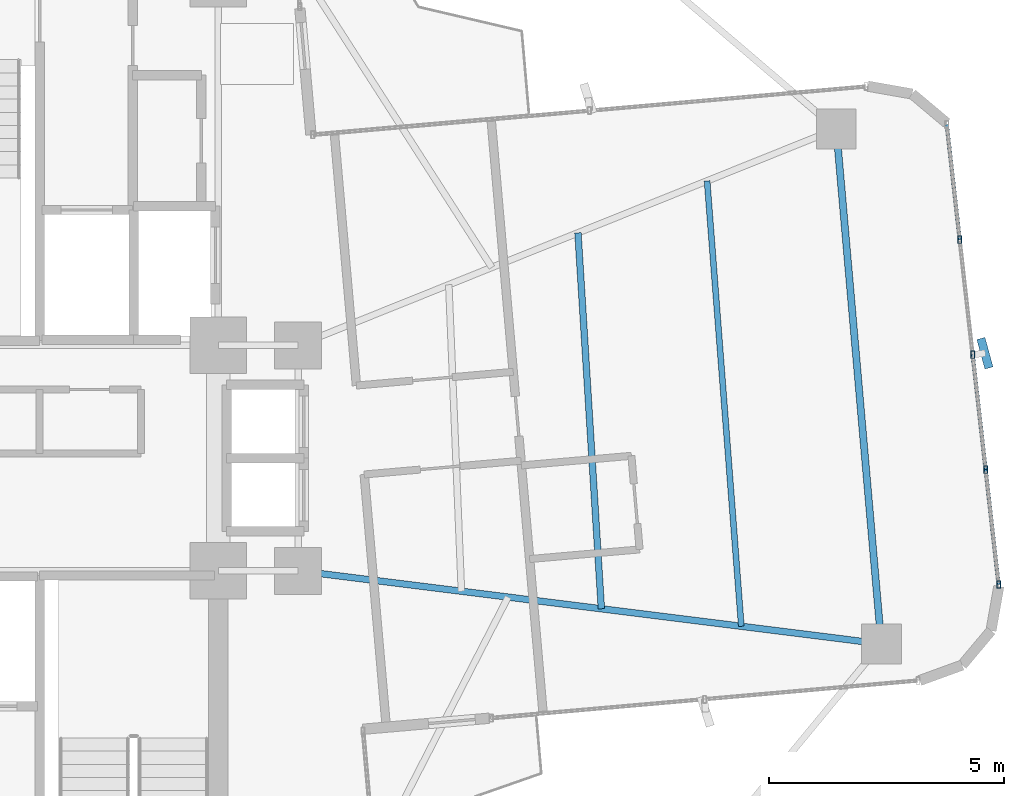
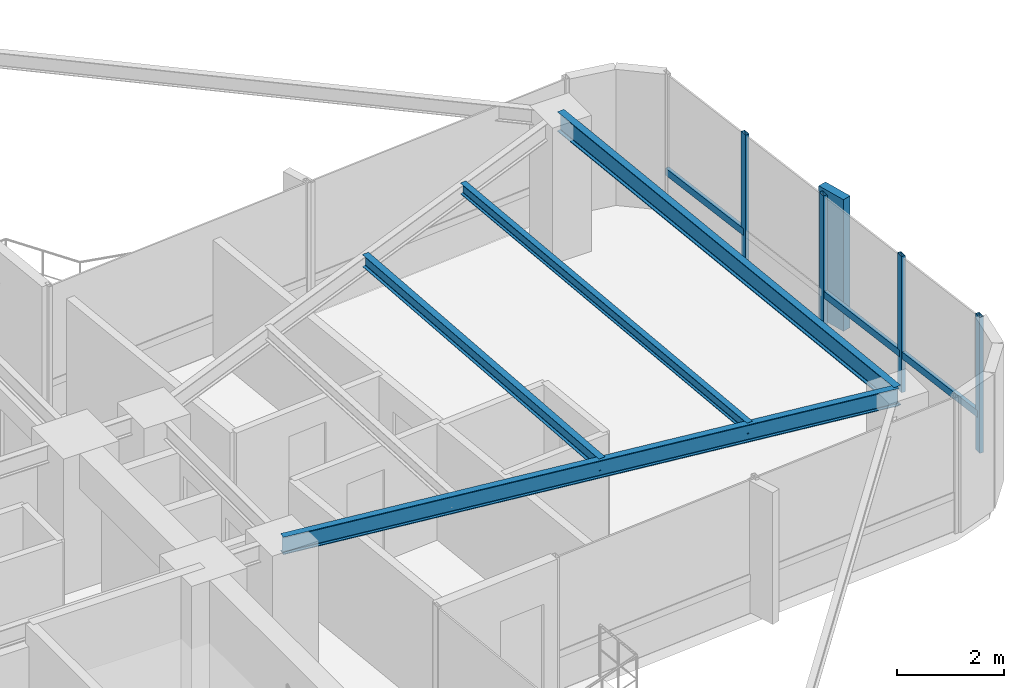
# One storey, part 14 of 24: 8 members, 4 beams, 1 element without a shape of its own.
"""IFC4 building model written with IfcOpenShell, lengths in metres."""

from ifc_helpers import new_model, si_unit, direction, frame, origin, origin_2d, place, context, subcontext, project, spatial, rectangle, hollow_rectangle, i_section, extrude, source, transform, mapped, material, material_profile, profile_set, type_object, element, aggregate, save


model = new_model("IFC4")

# Units and contexts
model_context = context("Model", 3, precision=1e-05, world=origin(), true_north=direction((0.0, 1.0)))
body_context = subcontext(model_context, "Body", "Model", "MODEL_VIEW")
ifc_project = project(units=[si_unit("LENGTHUNIT", "METRE"), si_unit("AREAUNIT", "SQUARE_METRE"), si_unit("VOLUMEUNIT", "CUBIC_METRE"), si_unit("PLANEANGLEUNIT", "RADIAN"), si_unit("MASSUNIT", "GRAM", prefix="KILO")], contexts=[model_context])

# Site, building, storey
site_placement = place(None, origin())
site = spatial("IfcSite", under=ifc_project, at=site_placement, CompositionType="ELEMENT")
building_placement = place(site_placement, origin())
building = spatial("IfcBuilding", under=site, at=building_placement, Name="Sahyath Konkavel Grand Hotel", CompositionType="ELEMENT")
storey_placement = place(building_placement, frame((0.0, 0.0, 147.25)))
storey = spatial("IfcBuildingStorey", under=building, at=storey_placement, Name="L40", CompositionType="ELEMENT", Elevation=147.25)

# Beams
ifc_material_1 = material(Name="Steel E350", Category="steel")
ifc_material_profile_1 = material_profile(ifc_material_1, i_section(OverallWidth=0.139892578125, OverallDepth=0.39990234375, WebThickness=0.0087890625, FlangeThickness=0.01611328125, FilletRadius=0.013916015625, at=origin_2d()), Name="ISMB 400")
ifc_profile_set_1 = profile_set([ifc_material_profile_1], Name="Steel E350")
beam_type_1 = type_object("IfcBeamType", Name="BM-ISMB400", PredefinedType="BEAM", material=ifc_profile_set_1)
shared_shape_1 = source(origin(), body_context, "Body", "SweptSolid", [
    extrude(i_section(OverallWidth=0.139892578125, OverallDepth=0.39990234375, WebThickness=0.0087890625, FlangeThickness=0.01611328125, FilletRadius=0.013916015625, at=origin_2d()), origin(), (0.0, 0.0, 1.0), 12.509765625),
])
beam_1_placement = place(storey_placement, frame((5.5, -2.39990234375, 2.909912109375), z_axis=(0.992254740459, -0.124219684578, 0.0), x_axis=(0.124219684578, 0.992254740459, 0.0)))
element("IfcBeam", 1, at=beam_1_placement, inside=storey, type_object=beam_type_1, Name="L40 Cruciform Radial Girder EA", PredefinedType="BEAM", context=body_context, shape_type="MappedRepresentation", body=[
    mapped(shared_shape_1, transform((0.0, 0.0, 0.0), scale=1.0)),
])
ifc_material_profile_2 = material_profile(ifc_material_1, i_section(OverallWidth=0.14990234375, OverallDepth=0.449951171875, WebThickness=0.009521484375, FlangeThickness=0.017333984375, FilletRadius=0.014892578125, at=origin_2d()), Name="ISMB 450")
ifc_profile_set_2 = profile_set([ifc_material_profile_2], Name="Steel E350")
beam_type_2 = type_object("IfcBeamType", Name="BM-ISMB450", PredefinedType="BEAM", material=ifc_profile_set_2)
shared_shape_2 = source(origin(), body_context, "Body", "SweptSolid", [
    extrude(i_section(OverallWidth=0.14990234375, OverallDepth=0.449951171875, WebThickness=0.009521484375, FlangeThickness=0.017333984375, FilletRadius=0.014892578125, at=origin_2d()), origin(), (0.0, 0.0, 1.0), 11.0),
])
beam_2_placement = place(storey_placement, frame((17.912841796875, -3.953857421875, 2.885009765625), z_axis=(-0.087157314015, 0.996194560622, 0.0), x_axis=(-0.996194560622, -0.087157314015, 0.0)))
element("IfcBeam", 2, at=beam_2_placement, inside=storey, type_object=beam_type_2, Name="L40 Wing Tip Edge Beam E", PredefinedType="BEAM", context=body_context, shape_type="MappedRepresentation", body=[
    mapped(shared_shape_2, transform((0.0, 0.0, 0.0), scale=1.0)),
])
ifc_material_profile_3 = material_profile(ifc_material_1, i_section(OverallWidth=0.139892578125, OverallDepth=0.27490234375, WebThickness=0.00634765625, FlangeThickness=0.0087890625, FilletRadius=0.012939453125, at=origin_2d()), Name="ISLB 275")
ifc_profile_set_3 = profile_set([ifc_material_profile_3], Name="Steel E350")
beam_type_3 = type_object("IfcBeamType", Name="BM-ISLB275", PredefinedType="BEAM", material=ifc_profile_set_3)
shared_shape_3 = source(origin(), body_context, "Body", "SweptSolid", [
    extrude(i_section(OverallWidth=0.139892578125, OverallDepth=0.27490234375, WebThickness=0.00634765625, FlangeThickness=0.0087890625, FilletRadius=0.012939453125, at=origin_2d()), origin(), (0.0, 0.0, 1.0), 8.017822265625),
])
beam_3_placement = place(storey_placement, frame((11.95458984375, -3.2080078125, 2.972412109375), z_axis=(-0.062179233264, 0.998064999362, 0.0), x_axis=(-0.998064999362, -0.062179233264, 0.0)))
element("IfcBeam", 3, at=beam_3_placement, inside=storey, type_object=beam_type_3, Name="L40 Secondary Floor Beam E-2", PredefinedType="BEAM", context=body_context, shape_type="MappedRepresentation", body=[
    mapped(shared_shape_3, transform((0.0, 0.0, 0.0), scale=1.0)),
])
ifc_material_profile_4 = material_profile(ifc_material_1, i_section(OverallWidth=0.125, OverallDepth=0.25, WebThickness=0.0068359375, FlangeThickness=0.012451171875, FilletRadius=0.012939453125, at=origin_2d()), Name="ISMB 250")
ifc_profile_set_4 = profile_set([ifc_material_profile_4], Name="Steel E350")
beam_type_4 = type_object("IfcBeamType", Name="BM-ISMB250", PredefinedType="BEAM", material=ifc_profile_set_4)
shared_shape_4 = source(origin(), body_context, "Body", "SweptSolid", [
    extrude(i_section(OverallWidth=0.125, OverallDepth=0.25, WebThickness=0.0068359375, FlangeThickness=0.012451171875, FilletRadius=0.012939453125, at=origin_2d()), origin(), (0.0, 0.0, 1.0), 9.508056640625),
])
beam_4_placement = place(storey_placement, frame((14.93359375, -3.580810546875, 2.985107421875), z_axis=(-0.076619921029, 0.997060373148, 0.0), x_axis=(-0.997060373148, -0.076619921029, 0.0)))
element("IfcBeam", 4, at=beam_4_placement, inside=storey, type_object=beam_type_4, Name="L40 Secondary Floor Beam E-3", PredefinedType="BEAM", context=body_context, shape_type="MappedRepresentation", body=[
    mapped(shared_shape_4, transform((0.0, 0.0, 0.0), scale=1.0)),
])

# Curtain wall, members
ifc_material_2 = material(Name="Anodised Bronze Aluminium & Low-E Glazing", Category="aluminium")
curtain_wall_type = type_object("IfcCurtainWallType", Name="CW-ZONE3", PredefinedType="NOTDEFINED", material=ifc_material_2)
curtain_wall_placement = place(storey_placement, origin())
curtain_wall = element("IfcCurtainWall", 5, at=curtain_wall_placement, inside=storey, type_object=curtain_wall_type, Name="L40 Unitised Curtain Wall F4", PredefinedType="NOTDEFINED")
ifc_material_3 = material(Name="Warm Buff Sandstone Cladding on Concrete C50/60", Category="masonry")
ifc_material_profile_5 = material_profile(ifc_material_3, rectangle(XDim=0.179931640625, YDim=0.64990234375, at=origin_2d()), Name="FIN 180x650")
ifc_profile_set_5 = profile_set([ifc_material_profile_5], Name="Warm Buff Sandstone Cladding on Concrete C50/60")
member_type_1 = type_object("IfcMemberType", Name="FIN-SANDSTONE-650", PredefinedType="MULLION", material=ifc_profile_set_5)
shared_shape_5 = source(origin(), body_context, "Body", "SweptSolid", [
    extrude(rectangle(XDim=0.179931640625, YDim=0.64990234375, at=origin_2d()), origin(), (0.0, 0.0, 1.0), 3.010009765625),
])
member_1_placement = place(storey_placement, frame((20.1181640625, 2.23095703125, 0.050048828125), z_axis=(0.0, 0.0, 1.0), x_axis=(0.964326778534, 0.264714684522, 0.0)))
member_1 = element("IfcMember", 6, at=member_1_placement, type_object=member_type_1, Name="L40 Sandstone Vertical Solar Fin FIN F4-2", PredefinedType="MULLION", context=body_context, shape_type="MappedRepresentation", body=[
    mapped(shared_shape_5, transform((0.0, 0.0, 0.0), scale=1.0)),
])
ifc_material_4 = material(Name="Anodised Bronze Aluminium", Category="aluminium")
ifc_material_profile_6 = material_profile(ifc_material_4, hollow_rectangle(XDim=0.080078125, YDim=0.159912109375, WallThickness=0.006103515625, at=origin_2d()), Name="RHS 160x80x6")
ifc_profile_set_6 = profile_set([ifc_material_profile_6], Name="Anodised Bronze Aluminium")
member_type_2 = type_object("IfcMemberType", Name="CW-MUL-160", PredefinedType="MULLION", material=ifc_profile_set_6)
shared_shape_6 = source(origin(), body_context, "Body", "SweptSolid", [
    extrude(hollow_rectangle(XDim=0.080078125, YDim=0.159912109375, WallThickness=0.006103515625, at=origin_2d()), origin(), (0.0, 0.0, 1.0), 3.110107421875),
])
member_2_placement = place(storey_placement, frame((20.4111328125, -2.69140625, 0.0), z_axis=(0.0, 0.0, 1.0), x_axis=(1.0, 0.0, 0.0)))
member_2 = element("IfcMember", 7, at=member_2_placement, type_object=member_type_2, Name="L40 Curtain Wall Mullion F4-0", PredefinedType="MULLION", context=body_context, shape_type="MappedRepresentation", body=[
    mapped(shared_shape_6, transform((0.0, 0.0, 0.0), scale=1.0)),
])
member_3_placement = place(storey_placement, frame((20.135498046875, -0.24462890625, 0.0), z_axis=(0.0, 0.0, 1.0), x_axis=(1.0, 0.0, 0.0)))
member_3 = element("IfcMember", 8, at=member_3_placement, type_object=member_type_2, Name="L40 Curtain Wall Mullion F4-1", PredefinedType="MULLION", context=body_context, shape_type="MappedRepresentation", body=[
    mapped(shared_shape_6, transform((0.0, 0.0, 0.0), scale=1.0)),
])
member_4_placement = place(storey_placement, frame((19.859619140625, 2.201904296875, 0.0), z_axis=(0.0, 0.0, 1.0), x_axis=(1.0, 0.0, 0.0)))
member_4 = element("IfcMember", 9, at=member_4_placement, type_object=member_type_2, Name="L40 Curtain Wall Mullion F4-2", PredefinedType="MULLION", context=body_context, shape_type="MappedRepresentation", body=[
    mapped(shared_shape_6, transform((0.0, 0.0, 0.0), scale=1.0)),
])
member_5_placement = place(storey_placement, frame((19.583984375, 4.648193359375, 0.0), z_axis=(0.0, 0.0, 1.0), x_axis=(1.0, 0.0, 0.0)))
member_5 = element("IfcMember", 10, at=member_5_placement, type_object=member_type_2, Name="L40 Curtain Wall Mullion F4-3", PredefinedType="MULLION", context=body_context, shape_type="MappedRepresentation", body=[
    mapped(shared_shape_6, transform((0.0, 0.0, 0.0), scale=1.0)),
])
ifc_material_profile_7 = material_profile(ifc_material_4, hollow_rectangle(XDim=0.080078125, YDim=0.159912109375, WallThickness=0.006103515625, at=origin_2d()), Name="RHS 160x80x6")
ifc_profile_set_7 = profile_set([ifc_material_profile_7], Name="Anodised Bronze Aluminium")
member_type_3 = type_object("IfcMemberType", Name="CW-TRN-160", PredefinedType="USERDEFINED", material=ifc_profile_set_7)
shared_shape_7 = source(origin(), body_context, "Body", "SweptSolid", [
    extrude(hollow_rectangle(XDim=0.080078125, YDim=0.159912109375, WallThickness=0.006103515625, at=origin_2d()), origin(), (0.0, 0.0, 1.0), 2.462158203125),
])
member_6_placement = place(storey_placement, frame((20.4111328125, -2.69140625, 0.85009765625), z_axis=(-0.11194409079, 0.993714506555, 0.0), x_axis=(-0.993714506555, -0.11194409079, 0.0)))
member_6 = element("IfcMember", 11, at=member_6_placement, type_object=member_type_3, Name="L40 Curtain Wall Transom F4-0-spandrel", ObjectType="TRANSOM", PredefinedType="USERDEFINED", context=body_context, shape_type="MappedRepresentation", body=[
    mapped(shared_shape_7, transform((0.0, 0.0, 0.0), scale=1.0)),
])
member_7_placement = place(storey_placement, frame((20.135498046875, -0.24462890625, 0.85009765625), z_axis=(-0.112053040279, 0.99370222711, 0.0), x_axis=(-0.99370222711, -0.112053040279, 0.0)))
member_7 = element("IfcMember", 12, at=member_7_placement, type_object=member_type_3, Name="L40 Curtain Wall Transom F4-1-spandrel", ObjectType="TRANSOM", PredefinedType="USERDEFINED", context=body_context, shape_type="MappedRepresentation", body=[
    mapped(shared_shape_7, transform((0.0, 0.0, 0.0), scale=1.0)),
])
member_8_placement = place(storey_placement, frame((19.583984375, 4.648193359375, 0.85009765625), z_axis=(-0.11194409079, 0.993714506555, 0.0), x_axis=(-0.993714506555, -0.11194409079, 0.0)))
member_8 = element("IfcMember", 13, at=member_8_placement, type_object=member_type_3, Name="L40 Curtain Wall Transom F4-3-spandrel", ObjectType="TRANSOM", PredefinedType="USERDEFINED", context=body_context, shape_type="MappedRepresentation", body=[
    mapped(shared_shape_7, transform((0.0, 0.0, 0.0), scale=1.0)),
])
aggregate(curtain_wall, [member_2, member_3, member_4, member_1, member_5, member_6, member_7, member_8])

save(model, "model.ifc")
